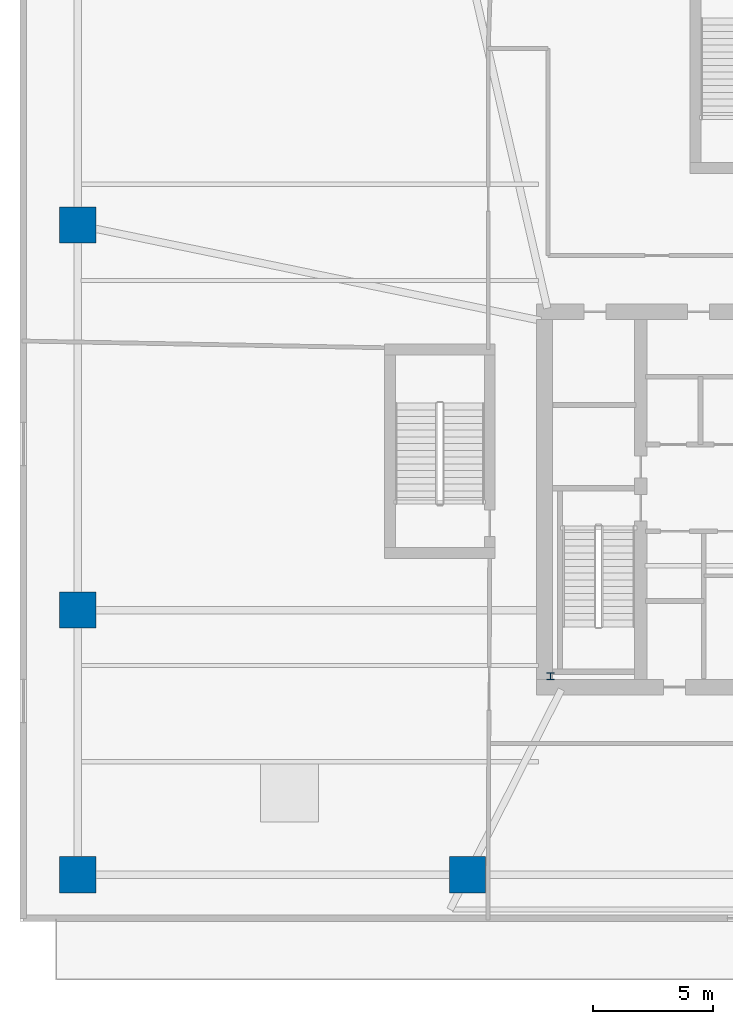
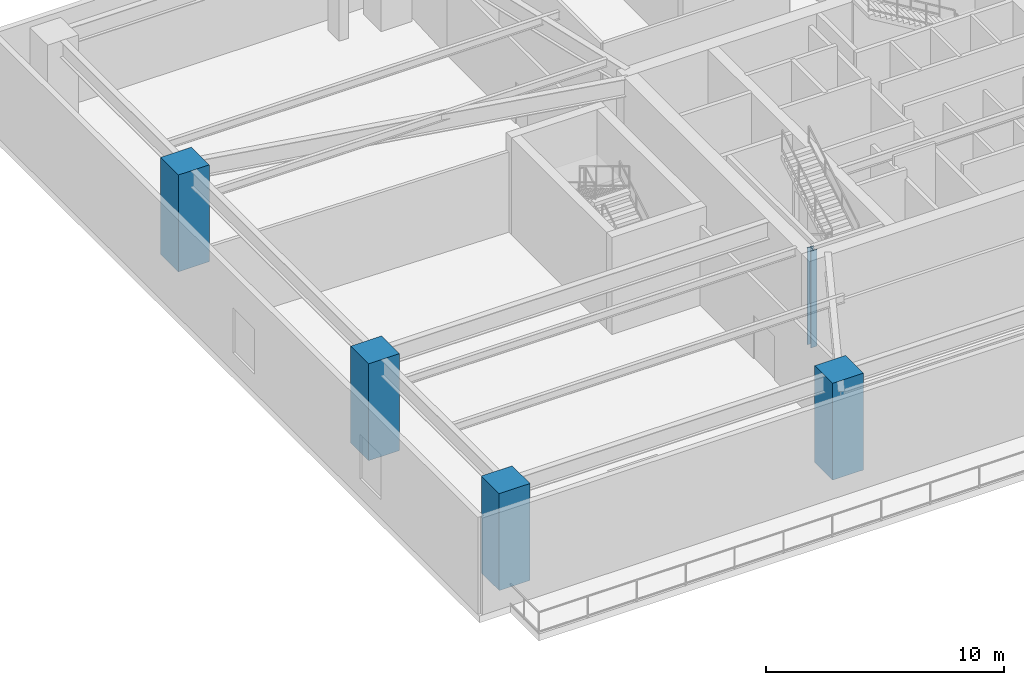
# One storey, part 1 of 11: 5 columns.
"""IFC4 building model written with IfcOpenShell, lengths in metres."""

from ifc_helpers import new_model, si_unit, direction, frame, origin, origin_2d, place, context, subcontext, project, spatial, rectangle, i_section, extrude, material, material_profile, profile_set, type_object, element, save


model = new_model("IFC4")

# Units and contexts
model_context = context("Model", 3, precision=1e-05, world=origin(), true_north=direction((0.0, 1.0)))
body_context = subcontext(model_context, "Body", "Model", "MODEL_VIEW")
ifc_project = project(units=[si_unit("LENGTHUNIT", "METRE"), si_unit("AREAUNIT", "SQUARE_METRE"), si_unit("VOLUMEUNIT", "CUBIC_METRE"), si_unit("PLANEANGLEUNIT", "RADIAN"), si_unit("MASSUNIT", "GRAM", prefix="KILO")], contexts=[model_context])

# Site, building, storey
site_placement = place(None, origin())
site = spatial("IfcSite", under=ifc_project, at=site_placement, CompositionType="ELEMENT")
building_placement = place(site_placement, origin())
building = spatial("IfcBuilding", under=site, at=building_placement, Name="Qarnah Convention Tower", CompositionType="ELEMENT")
storey_placement = place(building_placement, frame((0.0, 0.0, 16.199951171875)))
storey = spatial("IfcBuildingStorey", under=building, at=storey_placement, Name="L03", CompositionType="ELEMENT", Elevation=16.199951171875)

# Columns
ifc_material_1 = material(Name="Concrete C60/75", Category="concrete")
ifc_material_profile_1 = material_profile(ifc_material_1, rectangle(XDim=1.5, YDim=1.5, at=origin_2d()), Name="RC-COL-1500X1500")
ifc_profile_set_1 = profile_set([ifc_material_profile_1], Name="Concrete C60/75")
column_type_1 = type_object("IfcColumnType", Name="COL-MC1500", PredefinedType="COLUMN", material=ifc_profile_set_1)
for number, where, z_axis, x_axis, name in (
    (1, (7.39990234375, 10.800048828125, 0.0), (0.0, 0.0, 1.0), (1.0, 0.0, 0.0), "L03 plumb column MC-01"),
    (2, (23.60009765625, 10.800048828125, 0.0), (0.0, 0.0, 1.0), (1.0, 0.0, 0.0), "L03 plumb column MC-02"),
    (3, (7.39990234375, 37.800048828125, 0.0), (0.0, 0.0, 1.0), (1.0, 0.0, 0.0), "L03 plumb column MC-11"),
    (4, (7.39990234375, 21.800048828125, 0.0), (0.0, 0.0, 1.0), (1.0, 0.0, 0.0), "L03 plumb column MC-12"),
):
    element("IfcColumn", number, at=place(storey_placement, frame(where, z_axis=z_axis, x_axis=x_axis)), inside=storey, type_object=column_type_1, Name=name, PredefinedType="COLUMN", context=body_context, shape_type="SweptSolid", body=[
        extrude(rectangle(XDim=1.5, YDim=1.5, at=origin_2d()), origin(), (0.0, 0.0, 1.0), 4.97998046875),
    ])
ifc_material_2 = material(Name="Structural steel S355JR", Category="steel")
ifc_material_profile_2 = material_profile(ifc_material_2, i_section(OverallWidth=0.300048828125, OverallDepth=0.300048828125, WebThickness=0.010986328125, FlangeThickness=0.01904296875, at=origin_2d()), Name="HEB300")
ifc_profile_set_2 = profile_set([ifc_material_profile_2], Name="Structural steel S355JR")
column_type_2 = type_object("IfcColumnType", Name="PIL-SHF-300", PredefinedType="PILASTER", material=ifc_profile_set_2)
column_placement = place(storey_placement, frame((27.050048828125, 19.050048828125, 0.0), z_axis=(0.0, 0.0, 1.0), x_axis=(1.0, 0.0, 0.0)))
element("IfcColumn", 5, at=column_placement, inside=storey, type_object=column_type_2, Name="L03 core spine steel pilaster 1", PredefinedType="PILASTER", context=body_context, shape_type="SweptSolid", body=[
    extrude(i_section(OverallWidth=0.300048828125, OverallDepth=0.300048828125, WebThickness=0.010986328125, FlangeThickness=0.01904296875, at=origin_2d()), origin(), (0.0, 0.0, 1.0), 4.97998046875),
])

save(model, "model.ifc")
